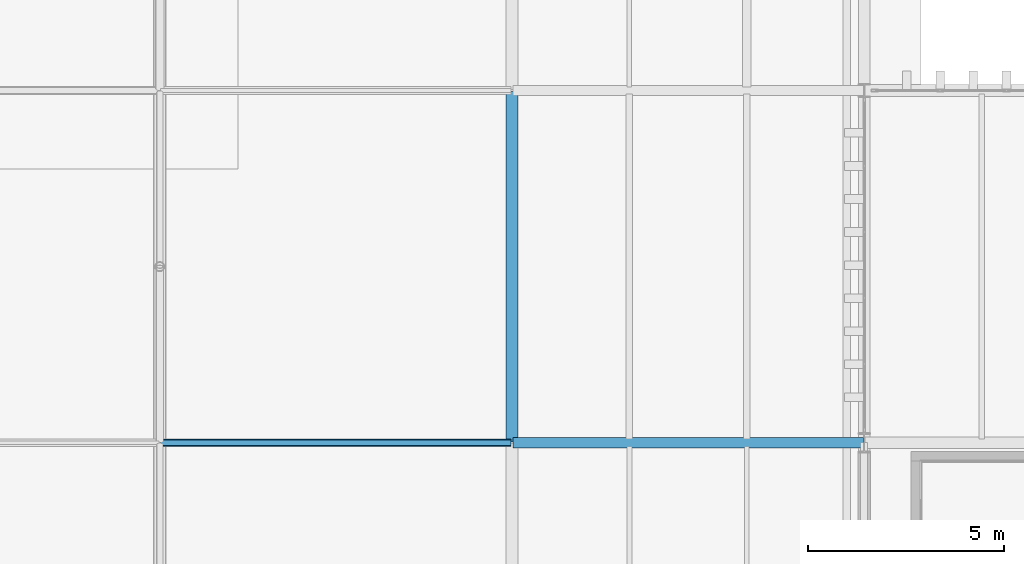
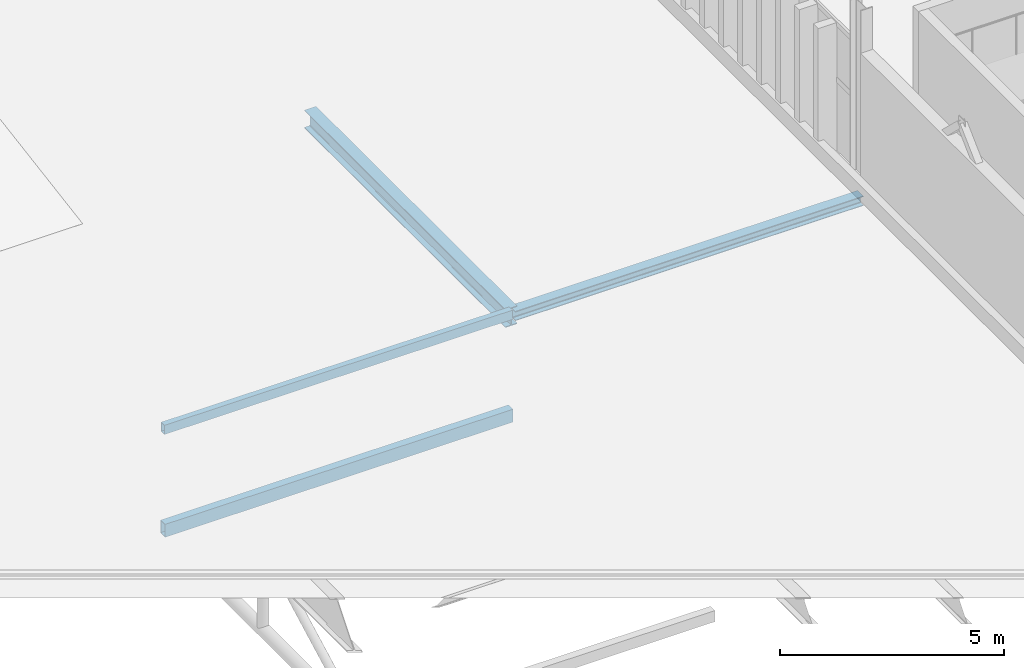
# One storey, part 90 of 196: 2 beams, 2 members.
"""IFC4 building model written with IfcOpenShell, lengths in metres."""

from ifc_helpers import new_model, si_unit, direction, frame, origin, origin_2d, place, context, subcontext, project, spatial, hollow_rectangle, i_section, extrude, material, material_profile, profile_set, type_object, element, save


model = new_model("IFC4")

# Units and contexts
model_context = context("Model", 3, precision=1e-05, world=origin(), true_north=direction((0.0, 1.0)))
body_context = subcontext(model_context, "Body", "Model", "MODEL_VIEW")
ifc_project = project(units=[si_unit("LENGTHUNIT", "METRE"), si_unit("AREAUNIT", "SQUARE_METRE"), si_unit("VOLUMEUNIT", "CUBIC_METRE"), si_unit("PLANEANGLEUNIT", "RADIAN"), si_unit("MASSUNIT", "GRAM", prefix="KILO")], contexts=[model_context])

# Site, building, storey
site_placement = place(None, origin())
site = spatial("IfcSite", under=ifc_project, at=site_placement, CompositionType="ELEMENT")
building_placement = place(site_placement, origin())
building = spatial("IfcBuilding", under=site, at=building_placement, Name="Barlavento Convention Centre", CompositionType="ELEMENT")
storey_placement = place(building_placement, frame((0.0, 0.0, 18.0)))
storey = spatial("IfcBuildingStorey", under=building, at=storey_placement, Name="L03", CompositionType="ELEMENT", Elevation=18.0)

# Beams
ifc_material = material(Name="Steel S355", Category="steel")
ifc_material_profile_1 = material_profile(ifc_material, i_section(OverallWidth=0.300048828125, OverallDepth=0.489990234375, WebThickness=0.011962890625, FlangeThickness=0.02294921875, FilletRadius=0.027099609375, at=origin_2d()), Name="HEA 500")
ifc_profile_set_1 = profile_set([ifc_material_profile_1], Name="Steel S355")
beam_type_1 = type_object("IfcBeamType", Name="STR-BM-PRI-HEA500", PredefinedType="BEAM", material=ifc_profile_set_1)
beam_1_placement = place(storey_placement, frame((117.0, 90.02001953125, -0.590087890625), z_axis=(0.0, 1.0, 0.0), x_axis=(-1.0, 0.0, 0.0)))
element("IfcBeam", 1, at=beam_1_placement, inside=storey, type_object=beam_type_1, Name="L03 grid girder BG20", PredefinedType="BEAM", context=body_context, shape_type="SweptSolid", body=[
    extrude(i_section(OverallWidth=0.300048828125, OverallDepth=0.489990234375, WebThickness=0.011962890625, FlangeThickness=0.02294921875, FilletRadius=0.027099609375, at=origin_2d()), origin(), (0.0, 0.0, 1.0), 8.9599609375),
])
ifc_material_profile_2 = material_profile(ifc_material, i_section(OverallWidth=0.260009765625, OverallDepth=0.260009765625, WebThickness=0.010009765625, FlangeThickness=0.017578125, FilletRadius=0.02392578125, at=origin_2d()), Name="HEB 260")
ifc_profile_set_2 = profile_set([ifc_material_profile_2], Name="Steel S355")
beam_type_2 = type_object("IfcBeamType", Name="STR-BM-PRI-HEB260", PredefinedType="BEAM", material=ifc_profile_set_2)
beam_2_placement = place(storey_placement, frame((117.02001953125, 90.0, -0.489990234375), z_axis=(1.0, 0.0, 0.0), x_axis=(0.0, 1.0, 0.0)))
element("IfcBeam", 2, at=beam_2_placement, inside=storey, type_object=beam_type_2, Name="L03 primary girder BG16", PredefinedType="BEAM", context=body_context, shape_type="SweptSolid", body=[
    extrude(i_section(OverallWidth=0.260009765625, OverallDepth=0.260009765625, WebThickness=0.010009765625, FlangeThickness=0.017578125, FilletRadius=0.02392578125, at=origin_2d()), origin(), (0.0, 0.0, 1.0), 8.9599609375),
])

# Members
ifc_material_profile_3 = material_profile(ifc_material, hollow_rectangle(XDim=0.199951171875, YDim=0.35009765625, WallThickness=0.012451171875, at=origin_2d()), Name="RHS 350x200x12.5")
ifc_profile_set_3 = profile_set([ifc_material_profile_3], Name="Steel S355")
member_type_1 = type_object("IfcMemberType", Name="STR-MEM-COL-RHS350", PredefinedType="COLLAR", material=ifc_profile_set_3)
member_1_placement = place(storey_placement, frame((108.02001953125, 90.0, -3.199951171875), z_axis=(1.0, 0.0, 0.0), x_axis=(0.0, 1.0, 0.0)))
element("IfcMember", 3, at=member_1_placement, inside=storey, type_object=member_type_1, Name="Exhibition space frame transverse chord", PredefinedType="COLLAR", context=body_context, shape_type="SweptSolid", body=[
    extrude(hollow_rectangle(XDim=0.199951171875, YDim=0.35009765625, WallThickness=0.012451171875, at=origin_2d()), origin(), (0.0, 0.0, 1.0), 8.9599609375),
])
ifc_material_profile_4 = material_profile(ifc_material, hollow_rectangle(XDim=0.14990234375, YDim=0.25, WallThickness=0.010009765625, at=origin_2d()), Name="RHS 250x150x10.0")
ifc_profile_set_4 = profile_set([ifc_material_profile_4], Name="Steel S355")
member_type_2 = type_object("IfcMemberType", Name="STR-MEM-PUR-RHS250", PredefinedType="PURLIN", material=ifc_profile_set_4)
member_2_placement = place(storey_placement, frame((108.02001953125, 90.0, -0.469970703125), z_axis=(1.0, 0.0, 0.0), x_axis=(0.0, 1.0, 0.0)))
element("IfcMember", 4, at=member_2_placement, inside=storey, type_object=member_type_2, Name="Exhibition roof purlin", PredefinedType="PURLIN", context=body_context, shape_type="SweptSolid", body=[
    extrude(hollow_rectangle(XDim=0.14990234375, YDim=0.25, WallThickness=0.010009765625, at=origin_2d()), origin(), (0.0, 0.0, 1.0), 8.9599609375),
])

save(model, "model.ifc")
